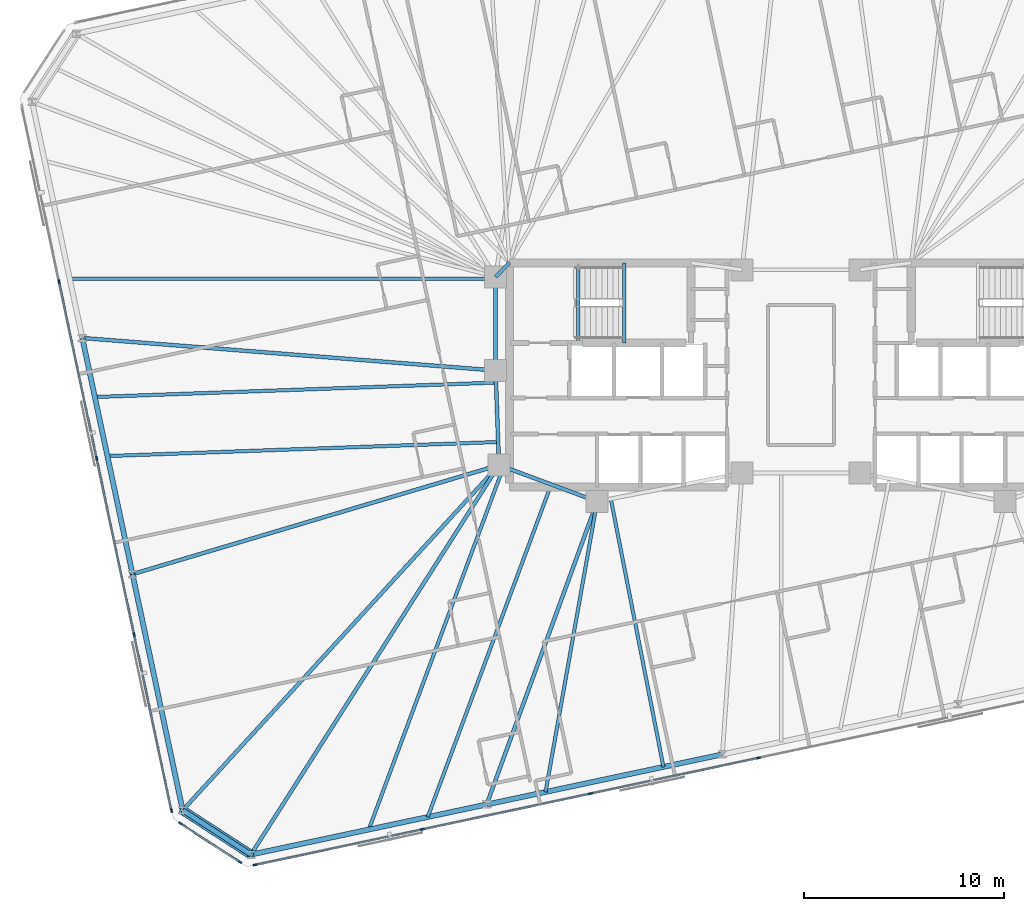
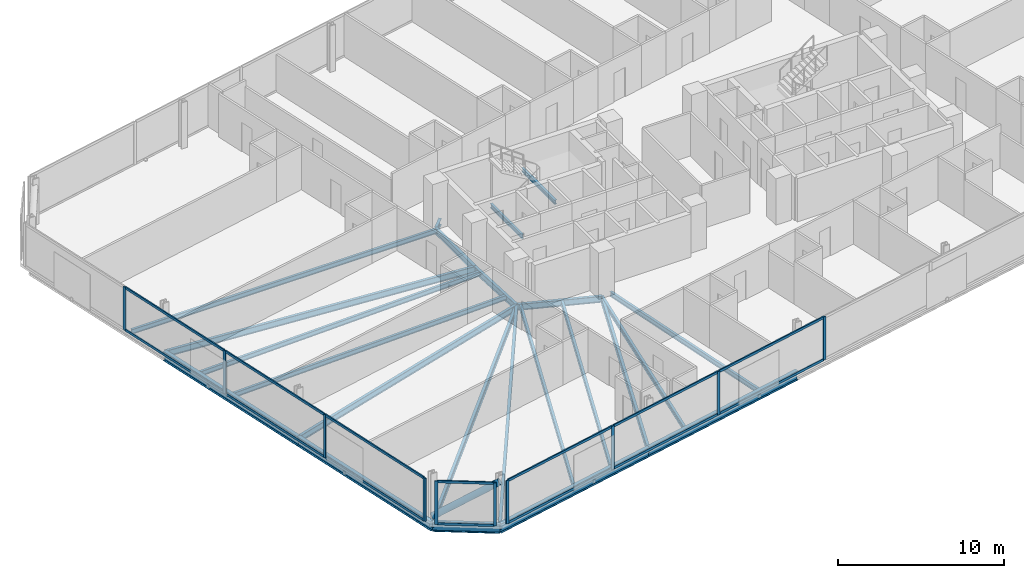
# One storey, part 6 of 20: 25 members, 23 beams, 3 elements without a shape of their own.
"""IFC4 building model written with IfcOpenShell, lengths in metres."""

from ifc_helpers import new_model, si_unit, direction, frame, origin, origin_2d, place, context, subcontext, project, spatial, rectangle, hollow_circle, i_section, extrude, material, material_profile, profile_set, type_object, element, aggregate, save


model = new_model("IFC4")

# Units and contexts
model_context = context("Model", 3, precision=1e-05, world=origin(), true_north=direction((0.0, 1.0)))
body_context = subcontext(model_context, "Body", "Model", "MODEL_VIEW")
ifc_project = project(units=[si_unit("LENGTHUNIT", "METRE"), si_unit("AREAUNIT", "SQUARE_METRE"), si_unit("VOLUMEUNIT", "CUBIC_METRE"), si_unit("PLANEANGLEUNIT", "RADIAN"), si_unit("MASSUNIT", "GRAM", prefix="KILO")], contexts=[model_context])

# Site, building, storey
site_placement = place(None, origin())
site = spatial("IfcSite", under=ifc_project, at=site_placement, CompositionType="ELEMENT")
building_placement = place(site_placement, origin())
building = spatial("IfcBuilding", under=site, at=building_placement, Name="Menara Jurai Vektor", CompositionType="ELEMENT")
storey_placement = place(building_placement, frame((0.0, 0.0, 178.60009765625)))
storey = spatial("IfcBuildingStorey", under=building, at=storey_placement, Name="L46", CompositionType="ELEMENT", Elevation=178.60009765625)

# Curtain wall, members
ifc_material_1 = material(Name="Anodised Pale Aluminium & Low-E Double Glazing", Category="aluminium")
curtain_wall_type = type_object("IfcCurtainWallType", Name="CW-BLK3", PredefinedType="NOTDEFINED", material=ifc_material_1)
curtain_wall_1_placement = place(storey_placement, origin())
curtain_wall_1 = element("IfcCurtainWall", 1, at=curtain_wall_1_placement, inside=storey, type_object=curtain_wall_type, Name="Unitised Curtain Wall L46 F01", PredefinedType="NOTDEFINED")
ifc_material_2 = material(Name="Anodised Pale Aluminium Mullion", Category="aluminium")
ifc_material_profile_1 = material_profile(ifc_material_2, rectangle(XDim=0.0849609375, YDim=0.205078125, at=origin_2d()), Name="ALU MUL 85x205")
ifc_profile_set_1 = profile_set([ifc_material_profile_1], Name="Anodised Pale Aluminium Mullion")
member_type_1 = type_object("IfcMemberType", Name="CW-BLK3-MUL", PredefinedType="MULLION", material=ifc_profile_set_1)
member_1_placement = place(storey_placement, frame((-27.25244140625, -24.462890625, 0.0), z_axis=(0.0, 0.0, 1.0), x_axis=(-0.207911344156, 0.978147674419, 0.0)))
member_1 = element("IfcMember", 2, at=member_1_placement, type_object=member_type_1, Name="CW-03 mullion 1", PredefinedType="MULLION", context=body_context, shape_type="SweptSolid", body=[
    extrude(rectangle(XDim=0.0849609375, YDim=0.205078125, at=origin_2d()), origin(), (0.0, 0.0, 1.0), 3.1748046875),
])
member_2_placement = place(storey_placement, frame((-18.904296875, -22.6884765625, 0.0), z_axis=(0.0, 0.0, 1.0), x_axis=(-0.207911344156, 0.978147674419, 0.0)))
member_2 = element("IfcMember", 3, at=member_2_placement, type_object=member_type_1, Name="CW-03 mullion 2", PredefinedType="MULLION", context=body_context, shape_type="SweptSolid", body=[
    extrude(rectangle(XDim=0.0849609375, YDim=0.205078125, at=origin_2d()), origin(), (0.0, 0.0, 1.0), 3.1748046875),
])
member_3_placement = place(storey_placement, frame((-10.514404296875, -20.905029296875, 0.0), z_axis=(0.0, 0.0, 1.0), x_axis=(-0.207911344156, 0.978147674419, 0.0)))
member_3 = element("IfcMember", 4, at=member_3_placement, type_object=member_type_1, Name="CW-03 mullion 3", PredefinedType="MULLION", context=body_context, shape_type="SweptSolid", body=[
    extrude(rectangle(XDim=0.0849609375, YDim=0.205078125, at=origin_2d()), origin(), (0.0, 0.0, 1.0), 3.1748046875),
])
member_4_placement = place(storey_placement, frame((-2.124755859375, -19.121826171875, 0.0), z_axis=(0.0, 0.0, 1.0), x_axis=(-0.207911344156, 0.978147674419, 0.0)))
member_4 = element("IfcMember", 5, at=member_4_placement, type_object=member_type_1, Name="CW-03 mullion 4", PredefinedType="MULLION", context=body_context, shape_type="SweptSolid", body=[
    extrude(rectangle(XDim=0.0849609375, YDim=0.205078125, at=origin_2d()), origin(), (0.0, 0.0, 1.0), 3.1748046875),
])

curtain_wall_2_placement = place(storey_placement, origin())
curtain_wall_2 = element("IfcCurtainWall", 6, at=curtain_wall_2_placement, inside=storey, type_object=curtain_wall_type, Name="Unitised Curtain Wall L46 F07", PredefinedType="NOTDEFINED")
member_5_placement = place(storey_placement, frame((-37.041259765625, 4.648193359375, 0.0), z_axis=(0.0, 0.0, 1.0), x_axis=(0.978147883949, 0.20791035839, 0.0)))
member_5 = element("IfcMember", 7, at=member_5_placement, type_object=member_type_1, Name="CW-03 mullion 2", PredefinedType="MULLION", context=body_context, shape_type="SweptSolid", body=[
    extrude(rectangle(XDim=0.0849609375, YDim=0.205078125, at=origin_2d()), origin(), (0.0, 0.0, 1.0), 3.1748046875),
])
member_6_placement = place(storey_placement, frame((-35.16796875, -4.1650390625, 0.0), z_axis=(0.0, 0.0, 1.0), x_axis=(0.978147883949, 0.20791035839, 0.0)))
member_6 = element("IfcMember", 8, at=member_6_placement, type_object=member_type_1, Name="CW-03 mullion 3", PredefinedType="MULLION", context=body_context, shape_type="SweptSolid", body=[
    extrude(rectangle(XDim=0.0849609375, YDim=0.205078125, at=origin_2d()), origin(), (0.0, 0.0, 1.0), 3.1748046875),
])
member_7_placement = place(storey_placement, frame((-33.294677734375, -12.978271484375, 0.0), z_axis=(0.0, 0.0, 1.0), x_axis=(0.978147883949, 0.20791035839, 0.0)))
member_7 = element("IfcMember", 9, at=member_7_placement, type_object=member_type_1, Name="CW-03 mullion 4", PredefinedType="MULLION", context=body_context, shape_type="SweptSolid", body=[
    extrude(rectangle(XDim=0.0849609375, YDim=0.205078125, at=origin_2d()), origin(), (0.0, 0.0, 1.0), 3.1748046875),
])
member_8_placement = place(storey_placement, frame((-31.43017578125, -21.749755859375, 0.0), z_axis=(0.0, 0.0, 1.0), x_axis=(0.978147883949, 0.20791035839, 0.0)))
member_8 = element("IfcMember", 10, at=member_8_placement, type_object=member_type_1, Name="CW-03 mullion 5", PredefinedType="MULLION", context=body_context, shape_type="SweptSolid", body=[
    extrude(rectangle(XDim=0.0849609375, YDim=0.205078125, at=origin_2d()), origin(), (0.0, 0.0, 1.0), 3.1748046875),
])

curtain_wall_3_placement = place(storey_placement, origin())
curtain_wall_3 = element("IfcCurtainWall", 11, at=curtain_wall_3_placement, inside=storey, type_object=curtain_wall_type, Name="Unitised Curtain Wall L46 F08", PredefinedType="NOTDEFINED")
member_9_placement = place(storey_placement, frame((-30.988037109375, -22.39306640625, 0.0), z_axis=(0.0, 0.0, 1.0), x_axis=(0.544617794346, 0.838684361415, 0.0)))
member_9 = element("IfcMember", 12, at=member_9_placement, type_object=member_type_1, Name="CW-03 mullion 1", PredefinedType="MULLION", context=body_context, shape_type="SweptSolid", body=[
    extrude(rectangle(XDim=0.0849609375, YDim=0.205078125, at=origin_2d()), origin(), (0.0, 0.0, 1.0), 3.1748046875),
])
member_10_placement = place(storey_placement, frame((-28.02001953125, -24.320556640625, 0.0), z_axis=(0.0, 0.0, 1.0), x_axis=(0.544617794346, 0.838684361415, 0.0)))
member_10 = element("IfcMember", 13, at=member_10_placement, type_object=member_type_1, Name="CW-03 mullion 2", PredefinedType="MULLION", context=body_context, shape_type="SweptSolid", body=[
    extrude(rectangle(XDim=0.0849609375, YDim=0.205078125, at=origin_2d()), origin(), (0.0, 0.0, 1.0), 3.1748046875),
])

# Member
ifc_material_3 = material(Name="Anodised Pale Aluminium Transom", Category="aluminium")
ifc_material_profile_2 = material_profile(ifc_material_3, rectangle(XDim=0.0849609375, YDim=0.175048828125, at=origin_2d()), Name="ALU TRN 85x175")
ifc_profile_set_2 = profile_set([ifc_material_profile_2], Name="Anodised Pale Aluminium Transom")
member_type_2 = type_object("IfcMemberType", Name="CW-BLK3-TRN", PredefinedType="USERDEFINED", material=ifc_profile_set_2)
member_11_placement = place(storey_placement, frame((-27.210693359375, -24.4541015625, 0.04248046875), z_axis=(0.978145704369, 0.207920612313, 0.0), x_axis=(-0.207920612313, 0.978145704369, 0.0)))
member_11 = element("IfcMember", 14, at=member_11_placement, type_object=member_type_2, Name="CW-03 transom 1.1", ObjectType="TRANSOM", PredefinedType="USERDEFINED", context=body_context, shape_type="SweptSolid", body=[
    extrude(rectangle(XDim=0.0849609375, YDim=0.175048828125, at=origin_2d()), origin(), (0.0, 0.0, 1.0), 8.449462890625),
])

member_12_placement = place(storey_placement, frame((-27.210693359375, -24.4541015625, 3.13232421875), z_axis=(0.978145704369, 0.207920612313, 0.0), x_axis=(-0.207920612313, 0.978145704369, 0.0)))
member_12 = element("IfcMember", 15, at=member_12_placement, type_object=member_type_2, Name="CW-03 transom 1.2", ObjectType="TRANSOM", PredefinedType="USERDEFINED", context=body_context, shape_type="SweptSolid", body=[
    extrude(rectangle(XDim=0.0849609375, YDim=0.175048828125, at=origin_2d()), origin(), (0.0, 0.0, 1.0), 8.449462890625),
])

member_13_placement = place(storey_placement, frame((-18.862548828125, -22.6796875, 0.04248046875), z_axis=(0.978146500933, 0.207916864907, 0.0), x_axis=(-0.207916864907, 0.978146500933, 0.0)))
member_13 = element("IfcMember", 16, at=member_13_placement, type_object=member_type_2, Name="CW-03 transom 2.1", ObjectType="TRANSOM", PredefinedType="USERDEFINED", context=body_context, shape_type="SweptSolid", body=[
    extrude(rectangle(XDim=0.0849609375, YDim=0.175048828125, at=origin_2d()), origin(), (0.0, 0.0, 1.0), 8.491943359375),
])

member_14_placement = place(storey_placement, frame((-18.862548828125, -22.6796875, 3.13232421875), z_axis=(0.978146500933, 0.207916864907, 0.0), x_axis=(-0.207916864907, 0.978146500933, 0.0)))
member_14 = element("IfcMember", 17, at=member_14_placement, type_object=member_type_2, Name="CW-03 transom 2.2", ObjectType="TRANSOM", PredefinedType="USERDEFINED", context=body_context, shape_type="SweptSolid", body=[
    extrude(rectangle(XDim=0.0849609375, YDim=0.175048828125, at=origin_2d()), origin(), (0.0, 0.0, 1.0), 8.491943359375),
])

member_15_placement = place(storey_placement, frame((-10.472900390625, -20.896240234375, 0.04248046875), z_axis=(0.978147743708, 0.207911018178, 0.0), x_axis=(-0.207911018178, 0.978147743708, 0.0)))
member_15 = element("IfcMember", 18, at=member_15_placement, type_object=member_type_2, Name="CW-03 transom 3.1", ObjectType="TRANSOM", PredefinedType="USERDEFINED", context=body_context, shape_type="SweptSolid", body=[
    extrude(rectangle(XDim=0.0849609375, YDim=0.175048828125, at=origin_2d()), origin(), (0.0, 0.0, 1.0), 8.4921875),
])

member_16_placement = place(storey_placement, frame((-10.472900390625, -20.896240234375, 3.13232421875), z_axis=(0.978147743708, 0.207911018178, 0.0), x_axis=(-0.207911018178, 0.978147743708, 0.0)))
member_16 = element("IfcMember", 19, at=member_16_placement, type_object=member_type_2, Name="CW-03 transom 3.2", ObjectType="TRANSOM", PredefinedType="USERDEFINED", context=body_context, shape_type="SweptSolid", body=[
    extrude(rectangle(XDim=0.0849609375, YDim=0.175048828125, at=origin_2d()), origin(), (0.0, 0.0, 1.0), 8.4921875),
])

aggregate(curtain_wall_1, [member_1, member_2, member_3, member_4, member_11, member_12, member_13, member_14, member_15, member_16])

member_17_placement = place(storey_placement, frame((-37.032470703125, 4.6064453125, 0.04248046875), z_axis=(0.207922224243, -0.978145361726, 0.0), x_axis=(0.978145361726, 0.207922224243, 0.0)))
member_17 = element("IfcMember", 20, at=member_17_placement, type_object=member_type_2, Name="CW-03 transom 2.1", ObjectType="TRANSOM", PredefinedType="USERDEFINED", context=body_context, shape_type="SweptSolid", body=[
    extrude(rectangle(XDim=0.0849609375, YDim=0.175048828125, at=origin_2d()), origin(), (0.0, 0.0, 1.0), 8.925048828125),
])

member_18_placement = place(storey_placement, frame((-37.032470703125, 4.6064453125, 3.13232421875), z_axis=(0.207922224243, -0.978145361726, 0.0), x_axis=(0.978145361726, 0.207922224243, 0.0)))
member_18 = element("IfcMember", 21, at=member_18_placement, type_object=member_type_2, Name="CW-03 transom 2.2", ObjectType="TRANSOM", PredefinedType="USERDEFINED", context=body_context, shape_type="SweptSolid", body=[
    extrude(rectangle(XDim=0.0849609375, YDim=0.175048828125, at=origin_2d()), origin(), (0.0, 0.0, 1.0), 8.925048828125),
])

member_19_placement = place(storey_placement, frame((-35.1591796875, -4.20654296875, 0.04248046875), z_axis=(0.207922224243, -0.978145361726, 0.0), x_axis=(0.978145361726, 0.207922224243, 0.0)))
member_19 = element("IfcMember", 22, at=member_19_placement, type_object=member_type_2, Name="CW-03 transom 3.1", ObjectType="TRANSOM", PredefinedType="USERDEFINED", context=body_context, shape_type="SweptSolid", body=[
    extrude(rectangle(XDim=0.0849609375, YDim=0.175048828125, at=origin_2d()), origin(), (0.0, 0.0, 1.0), 8.925048828125),
])

member_20_placement = place(storey_placement, frame((-35.1591796875, -4.20654296875, 3.13232421875), z_axis=(0.207922224243, -0.978145361726, 0.0), x_axis=(0.978145361726, 0.207922224243, 0.0)))
member_20 = element("IfcMember", 23, at=member_20_placement, type_object=member_type_2, Name="CW-03 transom 3.2", ObjectType="TRANSOM", PredefinedType="USERDEFINED", context=body_context, shape_type="SweptSolid", body=[
    extrude(rectangle(XDim=0.0849609375, YDim=0.175048828125, at=origin_2d()), origin(), (0.0, 0.0, 1.0), 8.925048828125),
])

member_21_placement = place(storey_placement, frame((-33.285888671875, -13.019775390625, 0.04248046875), z_axis=(0.207925814542, -0.978144598537, 0.0), x_axis=(0.978144598537, 0.207925814542, 0.0)))
member_21 = element("IfcMember", 24, at=member_21_placement, type_object=member_type_2, Name="CW-03 transom 4.1", ObjectType="TRANSOM", PredefinedType="USERDEFINED", context=body_context, shape_type="SweptSolid", body=[
    extrude(rectangle(XDim=0.0849609375, YDim=0.175048828125, at=origin_2d()), origin(), (0.0, 0.0, 1.0), 8.882568359375),
])

member_22_placement = place(storey_placement, frame((-33.285888671875, -13.019775390625, 3.13232421875), z_axis=(0.207925814542, -0.978144598537, 0.0), x_axis=(0.978144598537, 0.207925814542, 0.0)))
member_22 = element("IfcMember", 25, at=member_22_placement, type_object=member_type_2, Name="CW-03 transom 4.2", ObjectType="TRANSOM", PredefinedType="USERDEFINED", context=body_context, shape_type="SweptSolid", body=[
    extrude(rectangle(XDim=0.0849609375, YDim=0.175048828125, at=origin_2d()), origin(), (0.0, 0.0, 1.0), 8.882568359375),
])

aggregate(curtain_wall_2, [member_5, member_6, member_7, member_8, member_17, member_18, member_19, member_20, member_21, member_22])

member_23_placement = place(storey_placement, frame((-30.952392578125, -22.416259765625, 0.04248046875), z_axis=(0.83867770631, -0.54462804274, 0.0), x_axis=(0.54462804274, 0.83867770631, 0.0)))
member_23 = element("IfcMember", 26, at=member_23_placement, type_object=member_type_2, Name="CW-03 transom 1.1", ObjectType="TRANSOM", PredefinedType="USERDEFINED", context=body_context, shape_type="SweptSolid", body=[
    extrude(rectangle(XDim=0.0849609375, YDim=0.175048828125, at=origin_2d()), origin(), (0.0, 0.0, 1.0), 3.453857421875),
])

member_24_placement = place(storey_placement, frame((-30.952392578125, -22.416259765625, 3.13232421875), z_axis=(0.83867770631, -0.54462804274, 0.0), x_axis=(0.54462804274, 0.83867770631, 0.0)))
member_24 = element("IfcMember", 27, at=member_24_placement, type_object=member_type_2, Name="CW-03 transom 1.2", ObjectType="TRANSOM", PredefinedType="USERDEFINED", context=body_context, shape_type="SweptSolid", body=[
    extrude(rectangle(XDim=0.0849609375, YDim=0.175048828125, at=origin_2d()), origin(), (0.0, 0.0, 1.0), 3.453857421875),
])

aggregate(curtain_wall_3, [member_9, member_10, member_23, member_24])

# Beams
ifc_material_4 = material(Name="Steel S355", Category="steel")
ifc_material_profile_3 = material_profile(ifc_material_4, i_section(OverallWidth=0.19091796875, OverallDepth=0.4599609375, WebThickness=0.010009765625, FlangeThickness=0.01611328125, FilletRadius=0.010009765625, at=origin_2d()), Name="UKB 457x191x82")
ifc_profile_set_3 = profile_set([ifc_material_profile_3], Name="Steel S355")
beam_type_1 = type_object("IfcBeamType", Name="STR-BM-457", PredefinedType="BEAM", material=ifc_profile_set_3)
beam_1_placement = place(storey_placement, frame((-15.25, 4.89990234375, -0.455078125), z_axis=(0.701871936926, 0.712303154672, 0.0), x_axis=(-0.712303154672, 0.701871936926, 0.0)))
element("IfcBeam", 28, at=beam_1_placement, inside=storey, type_object=beam_type_1, Name="Core Ring Header Girder L46-CHW-N1", PredefinedType="BEAM", context=body_context, shape_type="SweptSolid", body=[
    extrude(i_section(OverallWidth=0.19091796875, OverallDepth=0.4599609375, WebThickness=0.010009765625, FlangeThickness=0.01611328125, FilletRadius=0.010009765625, at=origin_2d()), origin(), (0.0, 0.0, 1.0), 0.98291015625),
])
beam_2_placement = place(storey_placement, frame((-15.25, 0.219970703125, -0.455078125), z_axis=(0.0, 1.0, 0.0), x_axis=(-1.0, 0.0, 0.0)))
element("IfcBeam", 29, at=beam_2_placement, inside=storey, type_object=beam_type_1, Name="Core Ring Header Girder L46-CHW-W1", PredefinedType="BEAM", context=body_context, shape_type="SweptSolid", body=[
    extrude(i_section(OverallWidth=0.19091796875, OverallDepth=0.4599609375, WebThickness=0.010009765625, FlangeThickness=0.01611328125, FilletRadius=0.010009765625, at=origin_2d()), origin(), (0.0, 0.0, 1.0), 4.679931640625),
])
beam_3_placement = place(storey_placement, frame((-15.080078125, -4.5, -0.455078125), z_axis=(-0.035977314146, 0.999352606874, 0.0), x_axis=(-0.999352606874, -0.035977314146, 0.0)))
element("IfcBeam", 30, at=beam_3_placement, inside=storey, type_object=beam_type_1, Name="Core Ring Header Girder L46-CHW-W2", PredefinedType="BEAM", context=body_context, shape_type="SweptSolid", body=[
    extrude(i_section(OverallWidth=0.19091796875, OverallDepth=0.4599609375, WebThickness=0.010009765625, FlangeThickness=0.01611328125, FilletRadius=0.010009765625, at=origin_2d()), origin(), (0.0, 0.0, 1.0), 4.72314453125),
])
beam_4_placement = place(storey_placement, frame((-15.080078125, -4.5, -0.455078125), z_axis=(0.937424400887, -0.348188874925, 0.0), x_axis=(0.348188874925, 0.937424400887, 0.0)))
element("IfcBeam", 31, at=beam_4_placement, inside=storey, type_object=beam_type_1, Name="Core Ring Header Girder L46-CHW-S1", PredefinedType="BEAM", context=body_context, shape_type="SweptSolid", body=[
    extrude(i_section(OverallWidth=0.19091796875, OverallDepth=0.4599609375, WebThickness=0.010009765625, FlangeThickness=0.01611328125, FilletRadius=0.010009765625, at=origin_2d()), origin(), (0.0, 0.0, 1.0), 5.227294921875),
])
beam_5_placement = place(storey_placement, frame((-27.46484375, -23.94580078125, -0.455078125), z_axis=(0.537189280991, 0.843461721946, 0.0), x_axis=(-0.843461721946, 0.537189280991, 0.0)))
element("IfcBeam", 32, at=beam_5_placement, inside=storey, type_object=beam_type_1, Name="Radial Floor Girder L46-S1", PredefinedType="BEAM", context=body_context, shape_type="SweptSolid", body=[
    extrude(i_section(OverallWidth=0.19091796875, OverallDepth=0.4599609375, WebThickness=0.010009765625, FlangeThickness=0.01611328125, FilletRadius=0.010009765625, at=origin_2d()), origin(), (0.0, 0.0, 1.0), 23.0546875),
])
beam_6_placement = place(storey_placement, frame((-15.696533203125, -21.4443359375, -0.455078125), z_axis=(0.342668294367, 0.939456459893, 0.0), x_axis=(-0.939456459893, 0.342668294367, 0.0)))
element("IfcBeam", 33, at=beam_6_placement, inside=storey, type_object=beam_type_1, Name="Radial Floor Girder L46-S2", PredefinedType="BEAM", context=body_context, shape_type="SweptSolid", body=[
    extrude(i_section(OverallWidth=0.19091796875, OverallDepth=0.4599609375, WebThickness=0.010009765625, FlangeThickness=0.01611328125, FilletRadius=0.010009765625, at=origin_2d()), origin(), (0.0, 0.0, 1.0), 16.098876953125),
])
beam_7_placement = place(storey_placement, frame((-35.8828125, 1.843505859375, -0.455078125), z_axis=(0.996918476483, -0.078444574364, 0.0), x_axis=(0.078444574364, 0.996918476483, 0.0)))
element("IfcBeam", 34, at=beam_7_placement, inside=storey, type_object=beam_type_1, Name="Radial Floor Girder L46-W2", PredefinedType="BEAM", context=body_context, shape_type="SweptSolid", body=[
    extrude(i_section(OverallWidth=0.19091796875, OverallDepth=0.4599609375, WebThickness=0.010009765625, FlangeThickness=0.01611328125, FilletRadius=0.010009765625, at=origin_2d()), origin(), (0.0, 0.0, 1.0), 20.696533203125),
])
beam_8_placement = place(storey_placement, frame((-33.377197265625, -9.94482421875, -0.455078125), z_axis=(0.958462775407, 0.285217650505, 0.0), x_axis=(-0.285217650505, 0.958462775407, 0.0)))
element("IfcBeam", 35, at=beam_8_placement, inside=storey, type_object=beam_type_1, Name="Radial Floor Girder L46-W3", PredefinedType="BEAM", context=body_context, shape_type="SweptSolid", body=[
    extrude(i_section(OverallWidth=0.19091796875, OverallDepth=0.4599609375, WebThickness=0.010009765625, FlangeThickness=0.01611328125, FilletRadius=0.010009765625, at=origin_2d()), origin(), (0.0, 0.0, 1.0), 19.090087890625),
])
beam_9_placement = place(storey_placement, frame((-30.871337890625, -21.7333984375, -0.455078125), z_axis=(0.675584615662, 0.737282460852, 0.0), x_axis=(-0.737282460852, 0.675584615662, 0.0)))
element("IfcBeam", 36, at=beam_9_placement, inside=storey, type_object=beam_type_1, Name="Radial Floor Girder L46-W4", PredefinedType="BEAM", context=body_context, shape_type="SweptSolid", body=[
    extrude(i_section(OverallWidth=0.19091796875, OverallDepth=0.4599609375, WebThickness=0.010009765625, FlangeThickness=0.01611328125, FilletRadius=0.010009765625, at=origin_2d()), origin(), (0.0, 0.0, 1.0), 23.374267578125),
])

# Member
ifc_material_5 = material(Name="Steel S460", Category="steel")
ifc_material_profile_4 = material_profile(ifc_material_5, hollow_circle(Radius=0.228515625, WallThickness=0.01611328125, at=origin_2d()), Name="CHS 457x16")
ifc_profile_set_4 = profile_set([ifc_material_profile_4], Name="Steel S460")
member_type_3 = type_object("IfcMemberType", Name="STR-BR-457", PredefinedType="BRACE", material=ifc_profile_set_4)
member_25_placement = place(storey_placement, frame((-30.871337890625, -21.7333984375, 0.14990234375), z_axis=(0.700402825662, -0.454887866849, 0.5500117366), x_axis=(0.544673525608, 0.838648168484, 0.0)))
element("IfcMember", 37, at=member_25_placement, inside=storey, type_object=member_type_3, Name="Exoskeleton Corner Brace L46-4", PredefinedType="BRACE", context=body_context, shape_type="SweptSolid", body=[
    extrude(hollow_circle(Radius=0.228515625, WallThickness=0.01611328125, at=origin_2d()), origin(), (0.0, 0.0, 1.0), 4.863525390625),
])

# Beams
ifc_material_profile_5 = material_profile(ifc_material_4, i_section(OverallWidth=0.172119140625, OverallDepth=0.35498046875, WebThickness=0.007080078125, FlangeThickness=0.011962890625, FilletRadius=0.010009765625, at=origin_2d()), Name="UKB 356x171x51")
ifc_profile_set_5 = profile_set([ifc_material_profile_5], Name="Steel S355")
beam_type_2 = type_object("IfcBeamType", Name="STR-JS-356", PredefinedType="JOIST", material=ifc_profile_set_5)
beam_10_placement = place(storey_placement, frame((-21.580810546875, -22.695068359375, -0.402587890625), z_axis=(0.348190019635, 0.937423975705, 0.0), x_axis=(-0.937423975705, 0.348190019635, 0.0)))
element("IfcBeam", 38, at=beam_10_placement, inside=storey, type_object=beam_type_2, Name="Radial Secondary Floor Joist L46-JS01", PredefinedType="JOIST", context=body_context, shape_type="SweptSolid", body=[
    extrude(i_section(OverallWidth=0.172119140625, OverallDepth=0.35498046875, WebThickness=0.007080078125, FlangeThickness=0.011962890625, FilletRadius=0.010009765625, at=origin_2d()), origin(), (0.0, 0.0, 1.0), 19.320068359375),
])
beam_11_placement = place(storey_placement, frame((-18.638671875, -22.069580078125, -0.402587890625), z_axis=(0.348193798412, 0.937422572135, 0.0), x_axis=(-0.937422572135, 0.348193798412, 0.0)))
element("IfcBeam", 39, at=beam_11_placement, inside=storey, type_object=beam_type_2, Name="Radial Secondary Floor Joist L46-JS02", PredefinedType="JOIST", context=body_context, shape_type="SweptSolid", body=[
    extrude(i_section(OverallWidth=0.172119140625, OverallDepth=0.35498046875, WebThickness=0.007080078125, FlangeThickness=0.011962890625, FilletRadius=0.010009765625, at=origin_2d()), origin(), (0.0, 0.0, 1.0), 17.709228515625),
])
beam_12_placement = place(storey_placement, frame((-12.75439453125, -20.819091796875, -0.402587890625), z_axis=(0.174826548521, 0.984599247375, 0.0), x_axis=(-0.984599247375, 0.174826548521, 0.0)))
element("IfcBeam", 40, at=beam_12_placement, inside=storey, type_object=beam_type_2, Name="Radial Secondary Floor Joist L46-JS03", PredefinedType="JOIST", context=body_context, shape_type="SweptSolid", body=[
    extrude(i_section(OverallWidth=0.172119140625, OverallDepth=0.35498046875, WebThickness=0.007080078125, FlangeThickness=0.011962890625, FilletRadius=0.010009765625, at=origin_2d()), origin(), (0.0, 0.0, 1.0), 14.725830078125),
])
beam_13_placement = place(storey_placement, frame((-6.870361328125, -19.568359375, -0.402587890625), z_axis=(-0.19273083746, 0.981251662058, 0.0), x_axis=(-0.981251662058, -0.19273083746, 0.0)))
element("IfcBeam", 41, at=beam_13_placement, inside=storey, type_object=beam_type_2, Name="Radial Secondary Floor Joist L46-JS04", PredefinedType="JOIST", context=body_context, shape_type="SweptSolid", body=[
    extrude(i_section(OverallWidth=0.172119140625, OverallDepth=0.35498046875, WebThickness=0.007080078125, FlangeThickness=0.011962890625, FilletRadius=0.010009765625, at=origin_2d()), origin(), (0.0, 0.0, 1.0), 13.6376953125),
])
beam_14_placement = place(storey_placement, frame((-36.50927734375, 4.790771484375, -0.402587890625), z_axis=(1.0, 0.0, 0.0), x_axis=(0.0, 1.0, 0.0)))
element("IfcBeam", 42, at=beam_14_placement, inside=storey, type_object=beam_type_2, Name="Radial Secondary Floor Joist L46-JS30", PredefinedType="JOIST", context=body_context, shape_type="SweptSolid", body=[
    extrude(i_section(OverallWidth=0.172119140625, OverallDepth=0.35498046875, WebThickness=0.007080078125, FlangeThickness=0.011962890625, FilletRadius=0.010009765625, at=origin_2d()), origin(), (0.0, 0.0, 1.0), 21.25927734375),
])
beam_15_placement = place(storey_placement, frame((-35.25634765625, -1.103515625, -0.402587890625), z_axis=(0.999351866858, 0.035997863919, 0.0), x_axis=(-0.035997863919, 0.999351866858, 0.0)))
element("IfcBeam", 43, at=beam_15_placement, inside=storey, type_object=beam_type_2, Name="Radial Secondary Floor Joist L46-JS31", PredefinedType="JOIST", context=body_context, shape_type="SweptSolid", body=[
    extrude(i_section(OverallWidth=0.172119140625, OverallDepth=0.35498046875, WebThickness=0.007080078125, FlangeThickness=0.011962890625, FilletRadius=0.010009765625, at=origin_2d()), origin(), (0.0, 0.0, 1.0), 20.041015625),
])
beam_16_placement = place(storey_placement, frame((-34.6298828125, -4.05078125, -0.402587890625), z_axis=(0.999352006705, 0.035993981369, 0.0), x_axis=(-0.035993981369, 0.999352006705, 0.0)))
element("IfcBeam", 44, at=beam_16_placement, inside=storey, type_object=beam_type_2, Name="Radial Secondary Floor Joist L46-JS32", PredefinedType="JOIST", context=body_context, shape_type="SweptSolid", body=[
    extrude(i_section(OverallWidth=0.172119140625, OverallDepth=0.35498046875, WebThickness=0.007080078125, FlangeThickness=0.011962890625, FilletRadius=0.010009765625, at=origin_2d()), origin(), (0.0, 0.0, 1.0), 19.52099609375),
])
ifc_material_profile_6 = material_profile(ifc_material_4, i_section(OverallWidth=0.1650390625, OverallDepth=0.302978515625, WebThickness=0.006103515625, FlangeThickness=0.010009765625, FilletRadius=0.009033203125, at=origin_2d()), Name="UKB 305x165x40")
ifc_profile_set_6 = profile_set([ifc_material_profile_6], Name="Steel S355")
beam_type_3 = type_object("IfcBeamType", Name="STR-LN-305", PredefinedType="LINTEL", material=ifc_profile_set_6)
beam_17_placement = place(storey_placement, frame((-11.1201171875, 1.60009765625, -0.376708984375), z_axis=(0.0, 1.0, 0.0), x_axis=(-1.0, 0.0, 0.0)))
element("IfcBeam", 45, at=beam_17_placement, inside=storey, type_object=beam_type_3, Name="Stair Well Floor Trimmer ST1 L46", PredefinedType="LINTEL", context=body_context, shape_type="SweptSolid", body=[
    extrude(i_section(OverallWidth=0.1650390625, OverallDepth=0.302978515625, WebThickness=0.006103515625, FlangeThickness=0.010009765625, FilletRadius=0.009033203125, at=origin_2d()), origin(), (0.0, 0.0, 1.0), 3.81982421875),
])
beam_18_placement = place(storey_placement, frame((-8.830078125, 1.60009765625, 1.348388671875), z_axis=(0.0, 1.0, 0.0), x_axis=(-1.0, 0.0, 0.0)))
element("IfcBeam", 46, at=beam_18_placement, inside=storey, type_object=beam_type_3, Name="Stair Half-Landing Nosing Trimmer ST1-1 L46", PredefinedType="LINTEL", context=body_context, shape_type="SweptSolid", body=[
    extrude(i_section(OverallWidth=0.1650390625, OverallDepth=0.302978515625, WebThickness=0.006103515625, FlangeThickness=0.010009765625, FilletRadius=0.009033203125, at=origin_2d()), origin(), (0.0, 0.0, 1.0), 4.0),
])
ifc_material_profile_7 = material_profile(ifc_material_5, i_section(OverallWidth=0.256103515625, OverallDepth=0.693115234375, WebThickness=0.013916015625, FlangeThickness=0.02392578125, FilletRadius=0.014892578125, at=origin_2d()), Name="UKB 686x254x170")
ifc_profile_set_7 = profile_set([ifc_material_profile_7], Name="Steel S460")
beam_type_4 = type_object("IfcBeamType", Name="STR-SP-686", PredefinedType="SPANDREL", material=ifc_profile_set_7)
beam_19_placement = place(storey_placement, frame((-27.46484375, -23.94580078125, -0.571533203125), z_axis=(0.978147039247, 0.207914332389, 0.0), x_axis=(-0.207914332389, 0.978147039247, 0.0)))
element("IfcBeam", 47, at=beam_19_placement, inside=storey, type_object=beam_type_4, Name="Exoskeleton Spandrel Beam L46-01", PredefinedType="SPANDREL", context=body_context, shape_type="SweptSolid", body=[
    extrude(i_section(OverallWidth=0.256103515625, OverallDepth=0.693115234375, WebThickness=0.013916015625, FlangeThickness=0.02392578125, FilletRadius=0.014892578125, at=origin_2d()), origin(), (0.0, 0.0, 1.0), 12.03125),
])
beam_20_placement = place(storey_placement, frame((-15.696533203125, -21.4443359375, -0.571533203125), z_axis=(0.97814616202, 0.207918459318, 0.0), x_axis=(-0.207918459318, 0.97814616202, 0.0)))
element("IfcBeam", 48, at=beam_20_placement, inside=storey, type_object=beam_type_4, Name="Exoskeleton Spandrel Beam L46-02", PredefinedType="SPANDREL", context=body_context, shape_type="SweptSolid", body=[
    extrude(i_section(OverallWidth=0.256103515625, OverallDepth=0.693115234375, WebThickness=0.013916015625, FlangeThickness=0.02392578125, FilletRadius=0.014892578125, at=origin_2d()), origin(), (0.0, 0.0, 1.0), 12.031005859375),
])
beam_21_placement = place(storey_placement, frame((-35.8828125, 1.843505859375, -0.571533203125), z_axis=(0.207906000604, -0.978148810209, 0.0), x_axis=(0.978148810209, 0.207906000604, 0.0)))
element("IfcBeam", 49, at=beam_21_placement, inside=storey, type_object=beam_type_4, Name="Exoskeleton Spandrel Beam L46-18", PredefinedType="SPANDREL", context=body_context, shape_type="SweptSolid", body=[
    extrude(i_section(OverallWidth=0.256103515625, OverallDepth=0.693115234375, WebThickness=0.013916015625, FlangeThickness=0.02392578125, FilletRadius=0.014892578125, at=origin_2d()), origin(), (0.0, 0.0, 1.0), 12.0517578125),
])
beam_22_placement = place(storey_placement, frame((-33.377197265625, -9.94482421875, -0.571533203125), z_axis=(0.207921262698, -0.978145566119, 0.0), x_axis=(0.978145566119, 0.207921262698, 0.0)))
element("IfcBeam", 50, at=beam_22_placement, inside=storey, type_object=beam_type_4, Name="Exoskeleton Spandrel Beam L46-19", PredefinedType="SPANDREL", context=body_context, shape_type="SweptSolid", body=[
    extrude(i_section(OverallWidth=0.256103515625, OverallDepth=0.693115234375, WebThickness=0.013916015625, FlangeThickness=0.02392578125, FilletRadius=0.014892578125, at=origin_2d()), origin(), (0.0, 0.0, 1.0), 12.052001953125),
])
beam_23_placement = place(storey_placement, frame((-30.871337890625, -21.7333984375, -0.571533203125), z_axis=(0.838648168484, -0.544673525608, 0.0), x_axis=(0.544673525608, 0.838648168484, 0.0)))
element("IfcBeam", 51, at=beam_23_placement, inside=storey, type_object=beam_type_4, Name="Exoskeleton Spandrel Beam L46-20", PredefinedType="SPANDREL", context=body_context, shape_type="SweptSolid", body=[
    extrude(i_section(OverallWidth=0.256103515625, OverallDepth=0.693115234375, WebThickness=0.013916015625, FlangeThickness=0.02392578125, FilletRadius=0.014892578125, at=origin_2d()), origin(), (0.0, 0.0, 1.0), 4.061767578125),
])

save(model, "model.ifc")
